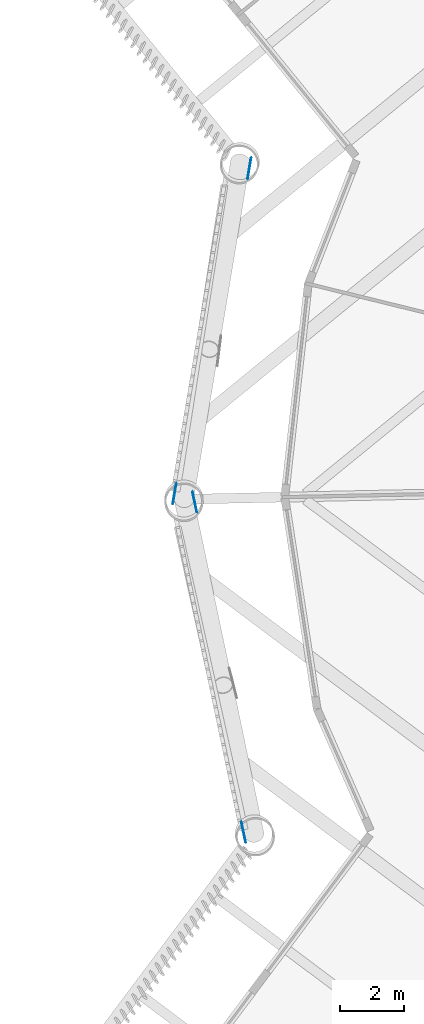
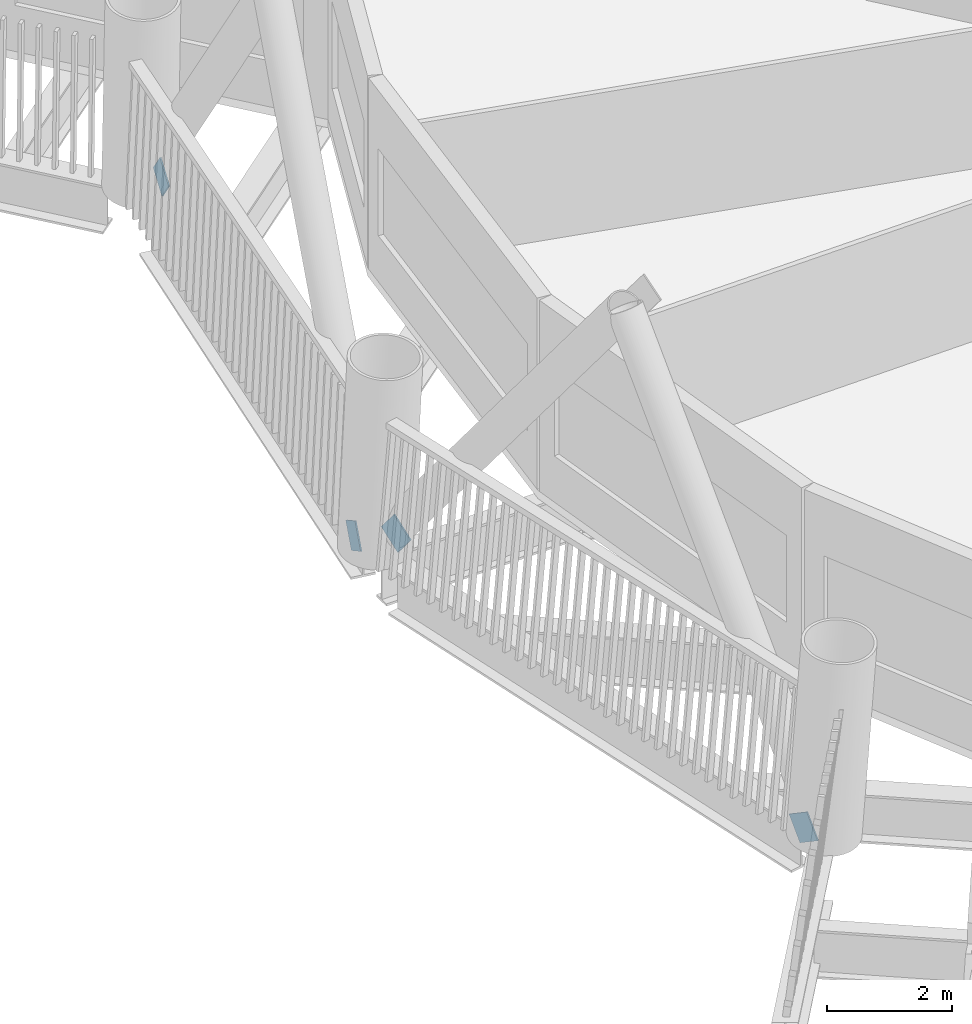
# One storey, part 14 of 22: 4 discrete accessories.
"""IFC4 building model written with IfcOpenShell, lengths in metres."""

from ifc_helpers import new_model, si_unit, direction, frame, origin, origin_2d, place, context, subcontext, project, spatial, rectangle, extrude, material, material_profile, profile_set, type_object, element, save


model = new_model("IFC4")

# Units and contexts
model_context = context("Model", 3, precision=1e-05, world=origin(), true_north=direction((0.0, 1.0)))
body_context = subcontext(model_context, "Body", "Model", "MODEL_VIEW")
ifc_project = project(units=[si_unit("LENGTHUNIT", "METRE"), si_unit("AREAUNIT", "SQUARE_METRE"), si_unit("VOLUMEUNIT", "CUBIC_METRE"), si_unit("PLANEANGLEUNIT", "RADIAN"), si_unit("MASSUNIT", "GRAM", prefix="KILO")], contexts=[model_context])

# Site, building, storey
site_placement = place(None, origin())
site = spatial("IfcSite", under=ifc_project, at=site_placement, CompositionType="ELEMENT")
building_placement = place(site_placement, origin())
building = spatial("IfcBuilding", under=site, at=building_placement, Name="Tarsis Ring Headquarters", CompositionType="ELEMENT")
storey_placement = place(building_placement, frame((0.0, 0.0, 40.0)))
storey = spatial("IfcBuildingStorey", under=building, at=storey_placement, Name="L07", CompositionType="ELEMENT", Elevation=40.0)

# Discrete accessories
ifc_material = material(Name="Structural steel S355", Category="steel")
ifc_material_profile = material_profile(ifc_material, rectangle(XDim=0.02490234375, YDim=0.5, at=origin_2d()), Name="PL 25x500")
ifc_profile_set = profile_set([ifc_material_profile], Name="Structural steel S355")
discrete_accessory_type = type_object("IfcDiscreteAccessoryType", Name="Gusset plate Exo brace 25", PredefinedType="BRACKET", material=ifc_profile_set)
for number, where, z_axis, x_axis, name in (
    (1, (-28.731689453125, -0.542724609375, 0.0), (0.12599389636, -0.59529674288, 0.793566207695), (0.978327822406, 0.207062000148, 0.0), "Gusset plate GP5"),
    (2, (-27.13427734375, -11.214111328125, 0.0), (-0.106945285104, 0.512263032303, 0.852143938387), (-0.978894935702, -0.204364147682, 0.0), "Gusset plate GP5"),
    (3, (-26.9541015625, 9.964111328125, 0.0), (-0.099599437646, -0.600526021098, 0.793377873402), (0.986523677589, -0.163618561161, 0.0), "Gusset plate GP5"),
    (4, (-29.35498046875, -0.5556640625, 0.0), (0.086917647615, 0.516134570389, 0.852085927464), (-0.986115160158, 0.166062912496, 0.0), "Gusset plate GP5"),
):
    element("IfcDiscreteAccessory", number, at=place(storey_placement, frame(where, z_axis=z_axis, x_axis=x_axis)), inside=storey, type_object=discrete_accessory_type, Name=name, PredefinedType="BRACKET", context=body_context, shape_type="SweptSolid", body=[
        extrude(rectangle(XDim=0.02490234375, YDim=0.5, at=origin_2d()), origin(), (0.0, 0.0, 1.0), 0.5),
    ])

save(model, "model.ifc")
